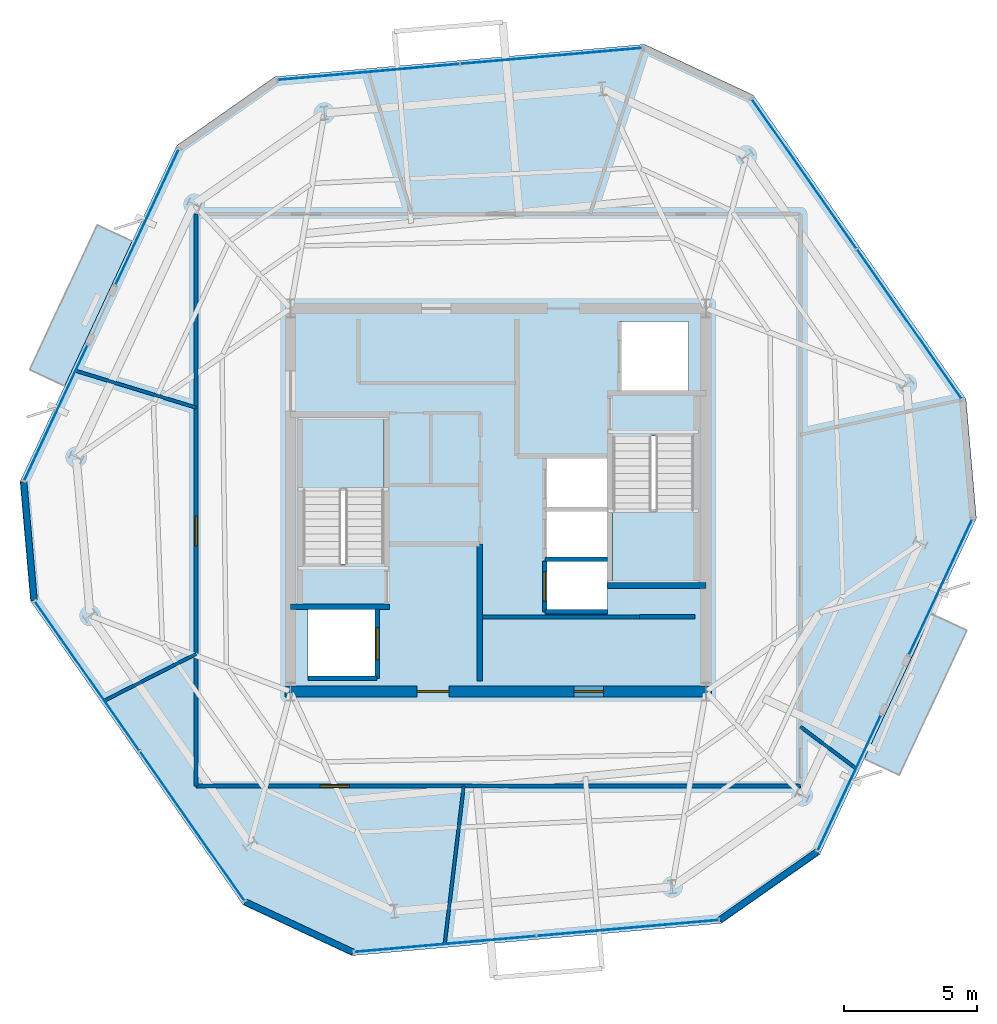
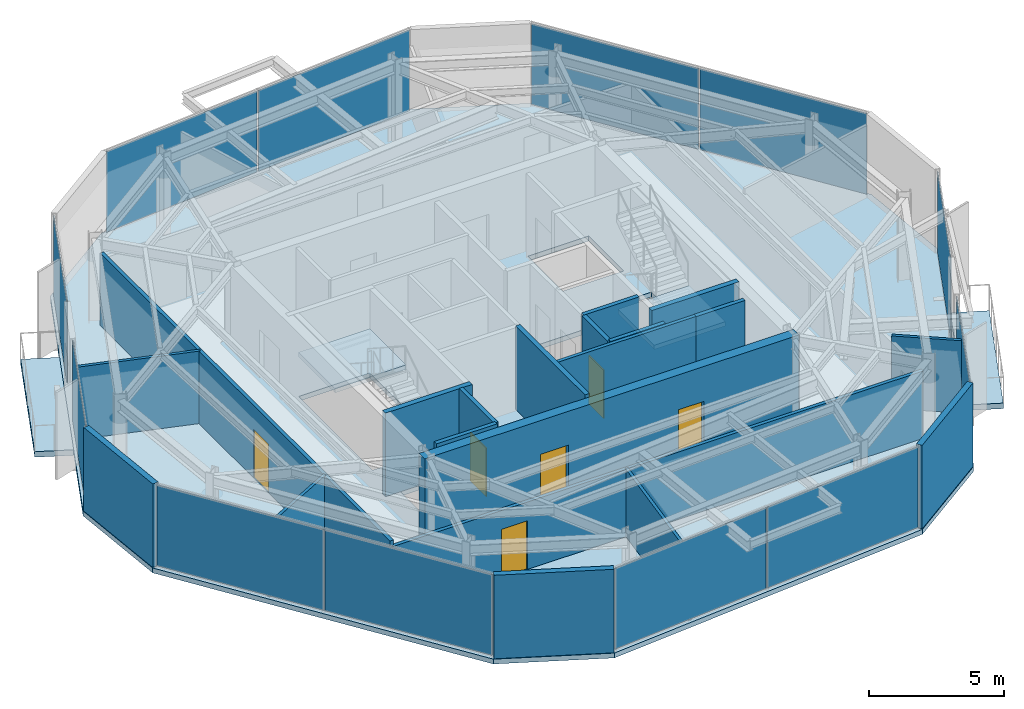
# One storey, part 5 of 11: 20 walls, 12 plates, 6 doors, 5 slabs, 6 openings, 10 elements without a shape of their own.
"""IFC4 building model written with IfcOpenShell, lengths in metres."""

import ifcopenshell
import ifcopenshell.guid

model = None  # the IFC model being written
_history = None  # IfcOwnerHistory: only IFC2X3 demands one
_inside = {}  # id of a spatial element -> (the spatial element, [elements in it])
_under = {}  # id of a project, library or spatial element -> (it, [spatial elements below it])
_declared = {}  # id of a project -> (the project, [libraries it declares])
_typed = {}  # id of a type object -> (the type object, [elements of that type])
_made_of = {}  # id of a material, layer set ... -> (it, [elements and type objects made of it])


def new_model(schema):
    """Start an empty IFC model of exactly this schema.

    Asked for "IFC4X3", IfcOpenShell would pick the latest addendum, in which some entities
    have other attributes; the version numbers below select the first issue.
    IFC2X3 requires an IfcOwnerHistory on every rooted entity: one is made here for all.
    """
    global model, _history
    if schema == "IFC4X3":
        model = ifcopenshell.file(schema_version=(4, 3, 0, 0))
    else:
        model = ifcopenshell.file(schema=schema)
    _inside.clear()
    _under.clear()
    _declared.clear()
    _typed.clear()
    _made_of.clear()
    _history = None
    if model.schema == "IFC2X3":
        org = make("IfcOrganization", Name="unknown")
        user = make(
            "IfcPersonAndOrganization",
            ThePerson=make("IfcPerson", FamilyName="unknown"),
            TheOrganization=org,
        )
        app = make(
            "IfcApplication",
            ApplicationDeveloper=org,
            Version="unknown",
            ApplicationFullName="unknown",
            ApplicationIdentifier="unknown",
        )
        _history = make(
            "IfcOwnerHistory",
            OwningUser=user,
            OwningApplication=app,
            ChangeAction="ADDED",
            CreationDate=0,
        )
    return model


def make(cls, **values):
    """One entity of the class cls with the attributes given. An attribute that is None is left unset."""
    return model.create_entity(
        cls, **{name: value for name, value in values.items() if value is not None}
    )


def rooted(cls, **values):
    """An entity with a GlobalId (a new one), such as an element, a storey or a relation."""
    return make(cls, GlobalId=ifcopenshell.guid.new(), OwnerHistory=_history, **values)


def si_unit(unit_type, name, prefix=None):
    """IfcSIUnit, for example si_unit("LENGTHUNIT", "METRE", prefix="MILLI")."""
    return make("IfcSIUnit", UnitType=unit_type, Prefix=prefix, Name=name)


def assignment(units):
    """IfcUnitAssignment: the units of a project."""
    return None if units is None else make("IfcUnitAssignment", Units=units)


def point(xyz):
    """IfcCartesianPoint."""
    return None if xyz is None else make("IfcCartesianPoint", Coordinates=xyz)


def direction(xyz):
    """IfcDirection."""
    return None if xyz is None else make("IfcDirection", DirectionRatios=xyz)


def frame(location, z_axis=None, x_axis=None):
    """IfcAxis2Placement3D, a coordinate frame: its origin and axes. An axis left out is left unset."""
    return make(
        "IfcAxis2Placement3D",
        Location=point(location),
        Axis=direction(z_axis),
        RefDirection=direction(x_axis),
    )


def frame_2d(location, x_axis=None):
    """IfcAxis2Placement2D, a coordinate frame in the plane: its origin and x axis."""
    return make(
        "IfcAxis2Placement2D", Location=point(location), RefDirection=direction(x_axis)
    )


def origin():
    """The frame at (0, 0, 0) with its axes left unset."""
    return frame((0.0, 0.0, 0.0))


def origin_2d():
    """The frame at (0, 0) in the plane with its x axis left unset."""
    return frame_2d((0.0, 0.0))


def place(relative_to, where):
    """IfcLocalPlacement: puts the frame where relative to a parent placement (None: the world)."""
    return make(
        "IfcLocalPlacement", PlacementRelTo=relative_to, RelativePlacement=where
    )


def context(
    kind, dimensions, precision=None, world=None, true_north=None, identifier=None
):
    """IfcGeometricRepresentationContext, for example the 3D "Model" context."""
    return make(
        "IfcGeometricRepresentationContext",
        ContextIdentifier=identifier,
        ContextType=kind,
        CoordinateSpaceDimension=dimensions,
        Precision=precision,
        WorldCoordinateSystem=world,
        TrueNorth=true_north,
    )


def subcontext(parent, identifier, kind, view, scale=None):
    """IfcGeometricRepresentationSubContext, for example "Body" below "Model"."""
    return make(
        "IfcGeometricRepresentationSubContext",
        ContextIdentifier=identifier,
        ContextType=kind,
        ParentContext=parent,
        TargetScale=scale,
        TargetView=view,
    )


def project(units=None, contexts=None):
    """IfcProject with its units and contexts."""
    return rooted(
        "IfcProject",
        Name="project",
        RepresentationContexts=contexts,
        UnitsInContext=assignment(units),
    )


def spatial(cls, under=None, at=None, **own):
    """A site, building, storey or space (cls), placed at a placement, below another one or the project."""
    s = rooted(cls, ObjectPlacement=at, **own)
    if under is not None:
        _under.setdefault(under.id(), (under, []))[1].append(s)
    return s


def polyline(points):
    """IfcPolyline through the points."""
    return make("IfcPolyline", Points=[point(p) for p in points])


def profile(cls, at=None, kind="AREA", **sizes):
    """A parametric profile (cls). Its sizes go by their IFC names, for example OverallWidth=200.0."""
    return make(cls, ProfileType=kind, Position=at, **sizes)


def rectangle(**sizes):
    """IfcRectangleProfileDef."""
    return profile("IfcRectangleProfileDef", **sizes)


def outline(outer, holes=None, kind="AREA"):
    """IfcArbitraryClosedProfileDef: a profile drawn as a closed curve; with holes, ...WithVoids."""
    if holes is None:
        return make("IfcArbitraryClosedProfileDef", ProfileType=kind, OuterCurve=outer)
    return make(
        "IfcArbitraryProfileDefWithVoids",
        ProfileType=kind,
        OuterCurve=outer,
        InnerCurves=holes,
    )


def extrude(swept, where, along, depth):
    """IfcExtrudedAreaSolid: the profile swept, set in the frame where, extruded along a direction by depth."""
    return make(
        "IfcExtrudedAreaSolid",
        SweptArea=swept,
        Position=where,
        ExtrudedDirection=direction(along),
        Depth=depth,
    )


def shape(context_of_items, identifier, shape_type, items):
    """IfcShapeRepresentation: the items that make up one representation, for example the "Body"."""
    return make(
        "IfcShapeRepresentation",
        ContextOfItems=context_of_items,
        RepresentationIdentifier=identifier,
        RepresentationType=shape_type,
        Items=items,
    )


def material(Name=None, Category=None):
    """IfcMaterial."""
    return make("IfcMaterial", Name=Name, Category=Category)


def layer(
    of_material, thickness, ventilated=None, Name=None, Category=None, Priority=None
):
    """IfcMaterialLayer: one layer of a wall or slab, of a material (None: an air gap)."""
    return make(
        "IfcMaterialLayer",
        Material=of_material,
        LayerThickness=thickness,
        IsVentilated=ventilated,
        Name=Name,
        Category=Category,
        Priority=Priority,
    )


def layer_set(layers, Name=None):
    """IfcMaterialLayerSet."""
    return make("IfcMaterialLayerSet", MaterialLayers=layers, LayerSetName=Name)


def made_of(thing, what):
    """Note that an element or type object is made of a material, layer set ...; save() writes the relation."""
    if what is not None:
        _made_of.setdefault(what.id(), (what, []))[1].append(thing)
    return thing


def type_object(cls, material=None, **own):
    """A type object (cls), such as IfcWallType, which elements share."""
    return made_of(rooted(cls, **own), material)


def element(
    cls,
    number,
    at=None,
    inside=None,
    cuts=None,
    type_object=None,
    material=None,
    context=None,
    identifier="Body",
    shape_type=None,
    held_by="IfcProductDefinitionShape",
    body=None,
    shapes=None,
    **own,
):
    """One element of the class cls, such as IfcWall. Its Tag is "e" and its number.

    at: its placement. inside: the storey or other place that contains it. cuts: it is an
    opening in that element (IfcRelVoidsElement). A single representation is given by context,
    identifier, shape_type and body (its items); several are given by shapes. held_by: the class
    of the entity that holds the representations. save() writes the other relations.
    """
    e = rooted(cls, Tag="e%d" % number, ObjectPlacement=at, **own)
    if body is not None:
        shapes = [shape(context, identifier, shape_type, body)]
    if shapes is not None:
        e.Representation = make(held_by, Representations=shapes)
    if inside is not None:
        _inside.setdefault(inside.id(), (inside, []))[1].append(e)
    if cuts is not None:
        rooted(
            "IfcRelVoidsElement", RelatingBuildingElement=cuts, RelatedOpeningElement=e
        )
    if type_object is not None:
        _typed.setdefault(type_object.id(), (type_object, []))[1].append(e)
    return made_of(e, material)


def fill(opening, filler):
    """IfcRelFillsElement: the door or window that sits in an opening."""
    return rooted(
        "IfcRelFillsElement",
        RelatingOpeningElement=opening,
        RelatedBuildingElement=filler,
    )


def aggregate(whole, parts):
    """IfcRelAggregates: a whole, such as a stair, and the parts it consists of."""
    return rooted("IfcRelAggregates", RelatingObject=whole, RelatedObjects=parts)


def save(model, path):
    """Write the relations noted so far, then the file.

    IfcRelAggregates (storeys below a building ...), IfcRelContainedInSpatialStructure (elements
    in a storey), IfcRelDefinesByType, IfcRelAssociatesMaterial and IfcRelDeclares: one each for
    every whole, place, type object, material and project.
    """
    for whole, parts in _under.values():
        aggregate(whole, parts)
    for where, things in _inside.values():
        rooted(
            "IfcRelContainedInSpatialStructure",
            RelatedElements=things,
            RelatingStructure=where,
        )
    for kind, things in _typed.values():
        rooted("IfcRelDefinesByType", RelatedObjects=things, RelatingType=kind)
    for what, things in _made_of.values():
        rooted("IfcRelAssociatesMaterial", RelatedObjects=things, RelatingMaterial=what)
    for by, libraries in _declared.values():
        rooted("IfcRelDeclares", RelatingContext=by, RelatedDefinitions=libraries)
    model.write(path)


model = new_model("IFC4")

# Units and contexts
model_context = context("Model", 3, precision=1e-05, world=origin(), true_north=direction((0.0, 1.0)))
body_context = subcontext(model_context, "Body", "Model", "MODEL_VIEW")
ifc_project = project(units=[si_unit("LENGTHUNIT", "METRE"), si_unit("AREAUNIT", "SQUARE_METRE"), si_unit("VOLUMEUNIT", "CUBIC_METRE"), si_unit("PLANEANGLEUNIT", "RADIAN"), si_unit("MASSUNIT", "GRAM", prefix="KILO")], contexts=[model_context])

# Site, building, storey
site_placement = place(None, origin())
site = spatial("IfcSite", under=ifc_project, at=site_placement, CompositionType="ELEMENT")
building_placement = place(site_placement, origin())
building = spatial("IfcBuilding", under=site, at=building_placement, Name="Kranzbogen Civic Tower", CompositionType="ELEMENT")
storey_placement = place(building_placement, frame((0.0, 0.0, 286.199951171875)))
storey = spatial("IfcBuildingStorey", under=building, at=storey_placement, Name="L69", CompositionType="ELEMENT", Elevation=286.199951171875)

# Slab
ifc_material_1 = material(Name="Concrete C40/50", Category="concrete")
ifc_layer_1 = layer(ifc_material_1, 0.219970703125, Name="Concrete C40/50")
ifc_layer_set_1 = layer_set([ifc_layer_1], Name="Concrete C40/50")
slab_type_1 = type_object("IfcSlabType", Name="Composite Upper Tower Floor Slab 220 mm", PredefinedType="FLOOR", material=ifc_layer_set_1)
slab_1_placement = place(storey_placement, frame((0.0, 0.0, -0.219970703125)))
element("IfcSlab", 1, at=slab_1_placement, inside=storey, type_object=slab_type_1, Name="L69 tower floor slab", PredefinedType="FLOOR", context=body_context, shape_type="SweptSolid", body=[
    extrude(outline(polyline([(30.5, 42.1201171875), (16.610107421875, 40.904052734375), (12.924072265625, 38.322998046875), (7.031982421875, 25.68701171875), (7.424072265625, 21.2041015625), (15.4208984375, 9.781982421875), (19.5, 7.8798828125), (33.389892578125, 9.095947265625), (37.075927734375, 11.677001953125), (42.968017578125, 24.31298828125), (42.575927734375, 28.7958984375), (34.5791015625, 40.218017578125), (30.5, 42.1201171875)]), holes=[polyline([(17.85009765625, 20.89990234375), (20.449951171875, 20.89990234375), (20.449951171875, 18.300048828125), (17.85009765625, 18.300048828125), (17.85009765625, 20.89990234375)]), polyline([(29.10009765625, 22.699951171875), (29.10009765625, 20.800048828125), (26.75, 20.800048828125), (26.75, 22.699951171875), (29.10009765625, 22.699951171875)]), polyline([(29.10009765625, 24.64990234375), (29.10009765625, 22.77490234375), (26.75, 22.77490234375), (26.75, 24.64990234375), (26.75, 24.675048828125), (26.75, 26.550048828125), (29.10009765625, 26.550048828125), (29.10009765625, 24.675048828125), (29.10009765625, 24.64990234375)]), polyline([(29.300048828125, 27.340087890625), (30.75, 27.340087890625), (30.75, 27.39990234375), (32.35009765625, 27.39990234375), (32.35009765625, 21.89990234375), (29.300048828125, 21.89990234375), (29.300048828125, 27.340087890625)]), polyline([(20.699951171875, 22.659912109375), (19.25, 22.659912109375), (19.25, 22.60009765625), (17.64990234375, 22.60009765625), (17.64990234375, 28.10009765625), (20.699951171875, 28.10009765625), (20.699951171875, 22.659912109375)]), polyline([(32.14990234375, 31.699951171875), (32.14990234375, 29.10009765625), (29.550048828125, 29.10009765625), (29.550048828125, 31.699951171875), (32.14990234375, 31.699951171875)])]), origin(), (0.0, 0.0, 1.0), 0.219970703125),
])

# Curtain wall, plates
ifc_material_2 = material(Name="Pale Anodised Aluminium", Category="aluminium")
ifc_layer_2 = layer(ifc_material_2, 0.219970703125, Name="Pale Anodised Aluminium")
ifc_layer_set_2 = layer_set([ifc_layer_2], Name="Pale Anodised Aluminium")
curtain_wall_type = type_object("IfcCurtainWallType", Name="Zone 4 Stick Curtain Wall System CW-05", PredefinedType="USERDEFINED", material=ifc_layer_set_2)
curtain_wall_1_placement = place(storey_placement, origin())
curtain_wall_1 = element("IfcCurtainWall", 2, at=curtain_wall_1_placement, inside=storey, type_object=curtain_wall_type, Name="L69 curtain wall CW-L69-F1", ObjectType="STICK CURTAIN WALL", PredefinedType="USERDEFINED")
ifc_material_3 = material(Name="Low-E Triple Glazing Glass", Category="glass")
ifc_layer_3 = layer(ifc_material_3, 0.028076171875, Name="Low-E Triple Glazing Glass")
ifc_layer_set_3 = layer_set([ifc_layer_3], Name="Low-E Triple Glazing Glass")
plate_type = type_object("IfcPlateType", Name="Insulated Low-E Glazing Panel 28 mm", PredefinedType="CURTAIN_PANEL", material=ifc_layer_set_3)
plate_1_placement = place(storey_placement, frame((26.99658203125, 41.683837890625, 0.06005859375), z_axis=(0.0, 0.0, 1.0), x_axis=(-0.99618696717, -0.087244062492, 0.0)))
plate_1 = element("IfcPlate", 3, at=plate_1_placement, type_object=plate_type, Name="CW-05 panel 1.1", PredefinedType="CURTAIN_PANEL", context=body_context, shape_type="SweptSolid", body=[
    extrude(rectangle(XDim=6.827392578125, YDim=0.028076171875, at=origin_2d()), origin(), (0.0, 0.0, 1.0), 3.659912109375),
])
plate_2_placement = place(storey_placement, frame((20.135498046875, 41.0830078125, 0.06005859375), z_axis=(0.0, 0.0, 1.0), x_axis=(-0.99618696717, -0.087244062492, 0.0)))
plate_2 = element("IfcPlate", 4, at=plate_2_placement, type_object=plate_type, Name="CW-05 panel 2.1", PredefinedType="CURTAIN_PANEL", context=body_context, shape_type="SweptSolid", body=[
    extrude(rectangle(XDim=6.827392578125, YDim=0.028076171875, at=origin_2d()), origin(), (0.0, 0.0, 1.0), 3.659912109375),
])
aggregate(curtain_wall_1, [plate_1, plate_2])

# Curtain wall, plate
curtain_wall_2_placement = place(storey_placement, origin())
curtain_wall_2 = element("IfcCurtainWall", 5, at=curtain_wall_2_placement, inside=storey, type_object=curtain_wall_type, Name="L69 curtain wall CW-L69-F2-S1", ObjectType="STICK CURTAIN WALL", PredefinedType="USERDEFINED")
plate_3_placement = place(storey_placement, frame((11.81005859375, 35.62841796875, 0.06005859375), z_axis=(0.0, 0.0, 1.0), x_axis=(-0.422626886136, -0.906303765365, 0.0)))
plate_3 = element("IfcPlate", 6, at=plate_3_placement, type_object=plate_type, Name="CW-05 panel 1.1", PredefinedType="CURTAIN_PANEL", context=body_context, shape_type="SweptSolid", body=[
    extrude(rectangle(XDim=5.5966796875, YDim=0.028076171875, at=origin_2d()), origin(), (0.0, 0.0, 1.0), 3.659912109375),
])
aggregate(curtain_wall_2, [plate_3])

curtain_wall_3_placement = place(storey_placement, origin())
curtain_wall_3 = element("IfcCurtainWall", 7, at=curtain_wall_3_placement, inside=storey, type_object=curtain_wall_type, Name="L69 curtain wall CW-L69-F2-S2", ObjectType="STICK CURTAIN WALL", PredefinedType="USERDEFINED")
plate_4_placement = place(storey_placement, frame((8.3798828125, 28.2724609375, 0.06005859375), z_axis=(0.0, 0.0, 1.0), x_axis=(-0.422626886136, -0.906303765365, 0.0)))
plate_4 = element("IfcPlate", 8, at=plate_4_placement, type_object=plate_type, Name="CW-05 panel 1.1", PredefinedType="CURTAIN_PANEL", context=body_context, shape_type="SweptSolid", body=[
    extrude(rectangle(XDim=5.5966796875, YDim=0.028076171875, at=origin_2d()), origin(), (0.0, 0.0, 1.0), 3.659912109375),
])
aggregate(curtain_wall_3, [plate_4])

# Curtain wall, plates
curtain_wall_4_placement = place(storey_placement, origin())
curtain_wall_4 = element("IfcCurtainWall", 9, at=curtain_wall_4_placement, inside=storey, type_object=curtain_wall_type, Name="L69 curtain wall CW-L69-F3", ObjectType="STICK CURTAIN WALL", PredefinedType="USERDEFINED")
plate_5_placement = place(storey_placement, frame((9.553466796875, 18.38818359375, 0.06005859375), z_axis=(0.0, 0.0, 1.0), x_axis=(0.573520552837, -0.819191171506, 0.0)))
plate_5 = element("IfcPlate", 10, at=plate_5_placement, type_object=plate_type, Name="CW-05 panel 1.1", PredefinedType="CURTAIN_PANEL", context=body_context, shape_type="SweptSolid", body=[
    extrude(rectangle(XDim=6.827880859375, YDim=0.028076171875, at=origin_2d()), origin(), (0.0, 0.0, 1.0), 3.659912109375),
])
plate_6_placement = place(storey_placement, frame((13.503662109375, 12.745849609375, 0.06005859375), z_axis=(0.0, 0.0, 1.0), x_axis=(0.573520552837, -0.819191171506, 0.0)))
plate_6 = element("IfcPlate", 11, at=plate_6_placement, type_object=plate_type, Name="CW-05 panel 2.1", PredefinedType="CURTAIN_PANEL", context=body_context, shape_type="SweptSolid", body=[
    extrude(rectangle(XDim=6.827880859375, YDim=0.028076171875, at=origin_2d()), origin(), (0.0, 0.0, 1.0), 3.659912109375),
])
aggregate(curtain_wall_4, [plate_5, plate_6])

curtain_wall_5_placement = place(storey_placement, origin())
curtain_wall_5 = element("IfcCurtainWall", 12, at=curtain_wall_5_placement, inside=storey, type_object=curtain_wall_type, Name="L69 curtain wall CW-L69-F4", ObjectType="STICK CURTAIN WALL", PredefinedType="USERDEFINED")
plate_7_placement = place(storey_placement, frame((23.00341796875, 8.316162109375, 0.06005859375), z_axis=(0.0, 0.0, 1.0), x_axis=(0.99618696717, 0.087244062492, 0.0)))
plate_7 = element("IfcPlate", 13, at=plate_7_placement, type_object=plate_type, Name="CW-05 panel 1.1", PredefinedType="CURTAIN_PANEL", context=body_context, shape_type="SweptSolid", body=[
    extrude(rectangle(XDim=6.827392578125, YDim=0.028076171875, at=origin_2d()), origin(), (0.0, 0.0, 1.0), 3.659912109375),
])
plate_8_placement = place(storey_placement, frame((29.864501953125, 8.9169921875, 0.06005859375), z_axis=(0.0, 0.0, 1.0), x_axis=(0.99618696717, 0.087244062492, 0.0)))
plate_8 = element("IfcPlate", 14, at=plate_8_placement, type_object=plate_type, Name="CW-05 panel 2.1", PredefinedType="CURTAIN_PANEL", context=body_context, shape_type="SweptSolid", body=[
    extrude(rectangle(XDim=6.827392578125, YDim=0.028076171875, at=origin_2d()), origin(), (0.0, 0.0, 1.0), 3.659912109375),
])
aggregate(curtain_wall_5, [plate_7, plate_8])

# Curtain wall, plate
curtain_wall_6_placement = place(storey_placement, origin())
curtain_wall_6 = element("IfcCurtainWall", 15, at=curtain_wall_6_placement, inside=storey, type_object=curtain_wall_type, Name="L69 curtain wall CW-L69-F5-S1", ObjectType="STICK CURTAIN WALL", PredefinedType="USERDEFINED")
plate_9_placement = place(storey_placement, frame((38.18994140625, 14.37158203125, 0.06005859375), z_axis=(0.0, 0.0, 1.0), x_axis=(0.422626886136, 0.906303765365, 0.0)))
plate_9 = element("IfcPlate", 16, at=plate_9_placement, type_object=plate_type, Name="CW-05 panel 1.1", PredefinedType="CURTAIN_PANEL", context=body_context, shape_type="SweptSolid", body=[
    extrude(rectangle(XDim=5.5966796875, YDim=0.028076171875, at=origin_2d()), origin(), (0.0, 0.0, 1.0), 3.659912109375),
])
aggregate(curtain_wall_6, [plate_9])

curtain_wall_7_placement = place(storey_placement, origin())
curtain_wall_7 = element("IfcCurtainWall", 17, at=curtain_wall_7_placement, inside=storey, type_object=curtain_wall_type, Name="L69 curtain wall CW-L69-F5-S2", ObjectType="STICK CURTAIN WALL", PredefinedType="USERDEFINED")
plate_10_placement = place(storey_placement, frame((41.6201171875, 21.7275390625, 0.06005859375), z_axis=(0.0, 0.0, 1.0), x_axis=(0.422626886136, 0.906303765365, 0.0)))
plate_10 = element("IfcPlate", 18, at=plate_10_placement, type_object=plate_type, Name="CW-05 panel 1.1", PredefinedType="CURTAIN_PANEL", context=body_context, shape_type="SweptSolid", body=[
    extrude(rectangle(XDim=5.5966796875, YDim=0.028076171875, at=origin_2d()), origin(), (0.0, 0.0, 1.0), 3.659912109375),
])
aggregate(curtain_wall_7, [plate_10])

# Curtain wall, plates
curtain_wall_8_placement = place(storey_placement, origin())
curtain_wall_8 = element("IfcCurtainWall", 19, at=curtain_wall_8_placement, inside=storey, type_object=curtain_wall_type, Name="L69 curtain wall CW-L69-F6", ObjectType="STICK CURTAIN WALL", PredefinedType="USERDEFINED")
plate_11_placement = place(storey_placement, frame((40.446533203125, 31.61181640625, 0.06005859375), z_axis=(0.0, 0.0, 1.0), x_axis=(-0.573520552837, 0.819191171506, 0.0)))
plate_11 = element("IfcPlate", 20, at=plate_11_placement, type_object=plate_type, Name="CW-05 panel 1.1", PredefinedType="CURTAIN_PANEL", context=body_context, shape_type="SweptSolid", body=[
    extrude(rectangle(XDim=6.827880859375, YDim=0.028076171875, at=origin_2d()), origin(), (0.0, 0.0, 1.0), 3.659912109375),
])
plate_12_placement = place(storey_placement, frame((36.496337890625, 37.254150390625, 0.06005859375), z_axis=(0.0, 0.0, 1.0), x_axis=(-0.573520552837, 0.819191171506, 0.0)))
plate_12 = element("IfcPlate", 21, at=plate_12_placement, type_object=plate_type, Name="CW-05 panel 2.1", PredefinedType="CURTAIN_PANEL", context=body_context, shape_type="SweptSolid", body=[
    extrude(rectangle(XDim=6.827880859375, YDim=0.028076171875, at=origin_2d()), origin(), (0.0, 0.0, 1.0), 3.659912109375),
])
aggregate(curtain_wall_8, [plate_11, plate_12])

# Stair, slab
ifc_material_4 = material(Name="Precast concrete C40/50", Category="concrete")
stair_type_1 = type_object("IfcStairType", Name="Tower Core Pressurized Dogleg Stair 1450", PredefinedType="HALF_TURN_STAIR", material=ifc_material_4)
stair_1_placement = place(storey_placement, origin())
stair_1 = element("IfcStair", 22, at=stair_1_placement, inside=storey, type_object=stair_type_1, Name="L69 Tower Core Pressurized Stair 1", PredefinedType="HALF_TURN_STAIR")
ifc_layer_4 = layer(ifc_material_4, 0.199951171875, Name="Precast concrete C40/50")
ifc_layer_set_4 = layer_set([ifc_layer_4], Name="Precast concrete C40/50")
slab_type_2 = type_object("IfcSlabType", Name="Precast Concrete Stair Landing Slab 200 mm", PredefinedType="LANDING", material=ifc_layer_set_4)
slab_2_placement = place(storey_placement, frame((0.0, 0.0, 1.800048828125)))
slab_2 = element("IfcSlab", 23, at=slab_2_placement, type_object=slab_type_2, Name="ST-T1 landing 1", PredefinedType="LANDING", context=body_context, shape_type="SweptSolid", body=[
    extrude(outline(polyline([(20.699951171875, 25.39990234375), (20.699951171875, 28.10009765625), (17.64990234375, 28.10009765625), (17.64990234375, 25.39990234375), (20.699951171875, 25.39990234375)])), origin(), (0.0, 0.0, 1.0), 0.199951171875),
])
aggregate(stair_1, [slab_2])

stair_type_2 = type_object("IfcStairType", Name="Tower Core Secondary Dogleg Stair 1450", PredefinedType="HALF_TURN_STAIR", material=ifc_material_4)
stair_2_placement = place(storey_placement, origin())
stair_2 = element("IfcStair", 24, at=stair_2_placement, inside=storey, type_object=stair_type_2, Name="L69 Tower Core Pressurized Stair 2", PredefinedType="HALF_TURN_STAIR")
slab_3_placement = place(storey_placement, frame((0.0, 0.0, 1.800048828125)))
slab_3 = element("IfcSlab", 25, at=slab_3_placement, type_object=slab_type_2, Name="ST-T2 landing 1", PredefinedType="LANDING", context=body_context, shape_type="SweptSolid", body=[
    extrude(outline(polyline([(29.300048828125, 24.60009765625), (29.300048828125, 21.89990234375), (32.35009765625, 21.89990234375), (32.35009765625, 24.60009765625), (29.300048828125, 24.60009765625)])), origin(), (0.0, 0.0, 1.0), 0.199951171875),
])
aggregate(stair_2, [slab_3])

# Slabs
ifc_layer_5 = layer(ifc_material_1, 0.25, Name="Concrete C40/50")
ifc_layer_set_5 = layer_set([ifc_layer_5], Name="Concrete C40/50")
slab_type_3 = type_object("IfcSlabType", Name="Tree Balcony Cantilevered Slab 250 mm", PredefinedType="FLOOR", material=ifc_layer_set_5)
slab_4_placement = place(storey_placement, frame((0.0, 0.0, -0.25)))
element("IfcSlab", 26, at=slab_4_placement, inside=storey, type_object=slab_type_3, Name="L69 cantilevered tree balcony L69-TB1", PredefinedType="FLOOR", context=body_context, shape_type="SweptSolid", body=[
    extrude(outline(polyline([(38.75390625, 15.27587890625), (41.2900390625, 20.714111328125), (42.60400390625, 20.10107421875), (40.068115234375, 14.6630859375), (38.75390625, 15.27587890625)])), origin(), (0.0, 0.0, 1.0), 0.25),
])
slab_5_placement = place(storey_placement, frame((0.0, 0.0, -0.25)))
element("IfcSlab", 27, at=slab_5_placement, inside=storey, type_object=slab_type_3, Name="L69 cantilevered tree balcony L69-TB2", PredefinedType="FLOOR", context=body_context, shape_type="SweptSolid", body=[
    extrude(outline(polyline([(11.24609375, 34.72412109375), (8.7099609375, 29.285888671875), (7.39599609375, 29.89892578125), (9.931884765625, 35.3369140625), (11.24609375, 34.72412109375)])), origin(), (0.0, 0.0, 1.0), 0.25),
])

# Wall
ifc_material_5 = material(Name="Double-Stud Acoustic Gypsum Partition")
ifc_layer_6 = layer(ifc_material_5, 0.14990234375, Name="Double-Stud Acoustic Gypsum Partition")
ifc_layer_set_6 = layer_set([ifc_layer_6], Name="Double-Stud Acoustic Gypsum Partition")
wall_type_1 = type_object("IfcWallType", Name="Acoustic Corridor and Clinical Partition 150 mm", PredefinedType="PARTITIONING", material=ifc_layer_set_6)
wall_1_placement = place(storey_placement, frame((24.39990234375, 20.610107421875, 0.0), z_axis=(0.0, 0.0, 1.0), x_axis=(1.0, 0.0, 0.0)))
element("IfcWall", 28, at=wall_1_placement, inside=storey, type_object=wall_type_1, Name="L69 records zone North wall", PredefinedType="PARTITIONING", context=body_context, shape_type="SweptSolid", body=[
    extrude(rectangle(XDim=5.900146484375, YDim=0.14990234375, at=frame_2d((2.9501953125, 0.0))), origin(), (0.0, 0.0, 1.0), 3.780029296875),
])

# Wall, opening, door
wall_2_placement = place(storey_placement, frame((36.35009765625, 14.25, 0.0), z_axis=(0.0, 0.0, 1.0), x_axis=(-1.0, 0.0, 0.0)))
wall_2 = element("IfcWall", 29, at=wall_2_placement, inside=storey, type_object=wall_type_1, Name="L69 corridor partition 03", PredefinedType="PARTITIONING", context=body_context, shape_type="SweptSolid", body=[
    extrude(rectangle(XDim=22.7001953125, YDim=0.14990234375, at=frame_2d((11.35009765625, 0.0))), origin(), (0.0, 0.0, 1.0), 3.050048828125),
])
opening_1_placement = place(wall_2_placement, frame((16.944091796875, 0.0, 0.0)))
opening_1 = element("IfcOpeningElement", 30, at=opening_1_placement, cuts=wall_2, Name="Opening D-COR60", PredefinedType="OPENING", context=body_context, shape_type="SweptSolid", body=[
    extrude(rectangle(XDim=1.10009765625, YDim=2.199951171875, at=frame_2d((0.550048828125, 1.10009765625))), frame((0.0, 0.0849609375, 0.0), z_axis=(0.0, -1.0, 0.0), x_axis=(1.0, 0.0, 0.0)), (0.0, 0.0, 1.0), 0.169921875),
])
ifc_material_6 = material(Name="Oak Timber and Fire Core", Category="wood")
door_type_1 = type_object("IfcDoorType", Name="Corridor Acoustic Fire Door 1100x2200", OperationType="NOTDEFINED", PredefinedType="DOOR", material=ifc_material_6)
door_1_placement = place(opening_1_placement, origin())
door_1 = element("IfcDoor", 31, at=door_1_placement, inside=storey, type_object=door_type_1, Name="L69 Municipal Exhibition Showroom door", OperationType="SINGLE_SWING_LEFT", OverallHeight=2.199951171875, OverallWidth=1.10009765625, PredefinedType="DOOR", context=body_context, shape_type="SweptSolid", body=[
    extrude(rectangle(XDim=1.10009765625, YDim=2.199951171875, at=frame_2d((0.550048828125, 1.10009765625))), frame((0.0, 0.02490234375, 0.0), z_axis=(0.0, -1.0, 0.0), x_axis=(1.0, 0.0, 0.0)), (0.0, 0.0, 1.0), 0.050048828125),
])
fill(opening_1, door_1)

wall_3_placement = place(storey_placement, frame((13.64990234375, 14.25, 0.0), z_axis=(0.0, 0.0, 1.0), x_axis=(0.0, 1.0, 0.0)))
wall_3 = element("IfcWall", 32, at=wall_3_placement, inside=storey, type_object=wall_type_1, Name="L69 corridor partition 04", PredefinedType="PARTITIONING", context=body_context, shape_type="SweptSolid", body=[
    extrude(rectangle(XDim=21.5, YDim=0.14990234375, at=frame_2d((10.75, 0.0))), origin(), (0.0, 0.0, 1.0), 3.280029296875),
])
opening_2_placement = place(wall_3_placement, frame((9.034912109375, 0.0, 0.0)))
opening_2 = element("IfcOpeningElement", 33, at=opening_2_placement, cuts=wall_3, Name="Opening D-COR60", PredefinedType="OPENING", context=body_context, shape_type="SweptSolid", body=[
    extrude(rectangle(XDim=1.10009765625, YDim=2.199951171875, at=frame_2d((0.550048828125, 1.10009765625))), frame((0.0, 0.0849609375, 0.0), z_axis=(0.0, -1.0, 0.0), x_axis=(1.0, 0.0, 0.0)), (0.0, 0.0, 1.0), 0.169921875),
])
door_2_placement = place(opening_2_placement, origin())
door_2 = element("IfcDoor", 34, at=door_2_placement, inside=storey, type_object=door_type_1, Name="L69 Citizen Services Kiosk door", OperationType="SINGLE_SWING_RIGHT", OverallHeight=2.199951171875, OverallWidth=1.10009765625, PredefinedType="DOOR", context=body_context, shape_type="SweptSolid", body=[
    extrude(rectangle(XDim=1.10009765625, YDim=2.199951171875, at=frame_2d((0.550048828125, 1.10009765625))), frame((0.0, 0.02490234375, 0.0), z_axis=(0.0, -1.0, 0.0), x_axis=(1.0, 0.0, 0.0)), (0.0, 0.0, 1.0), 0.050048828125),
])
fill(opening_2, door_2)

# Walls
ifc_material_7 = material(Name="Insulated Metal-Stud Gypsum Partition")
ifc_layer_7 = layer(ifc_material_7, 0.125, Name="Insulated Metal-Stud Gypsum Partition")
ifc_layer_set_7 = layer_set([ifc_layer_7], Name="Insulated Metal-Stud Gypsum Partition")
wall_type_2 = type_object("IfcWallType", Name="Acoustic Inter-Room Partition 125 mm", PredefinedType="PARTITIONING", material=ifc_layer_set_7)
wall_4_placement = place(storey_placement, frame((13.64990234375, 28.470947265625, 0.0), z_axis=(0.0, 0.0, 1.0), x_axis=(-0.95627729349, 0.292461515342, 0.0)))
element("IfcWall", 35, at=wall_4_placement, inside=storey, type_object=wall_type_2, Name="L69 radial room partition 02", PredefinedType="PARTITIONING", context=body_context, shape_type="SweptSolid", body=[
    extrude(rectangle(XDim=4.722412109375, YDim=0.125, at=frame_2d((2.361328125, 0.0))), origin(), (0.0, 0.0, 1.0), 3.280029296875),
])
wall_5_placement = place(storey_placement, frame((13.64990234375, 19.216064453125, 0.0), z_axis=(0.0, 0.0, 1.0), x_axis=(-0.891017734347, -0.453968497892, 0.0)))
element("IfcWall", 36, at=wall_5_placement, inside=storey, type_object=wall_type_2, Name="L69 radial room partition 03", PredefinedType="PARTITIONING", context=body_context, shape_type="SweptSolid", body=[
    extrude(rectangle(XDim=3.852783203125, YDim=0.125, at=frame_2d((1.92626953125, 0.0))), origin(), (0.0, 0.0, 1.0), 3.280029296875),
])
wall_6_placement = place(storey_placement, frame((23.7041015625, 14.25, 0.0), z_axis=(0.0, 0.0, 1.0), x_axis=(-0.119779797653, -0.992800483518, 0.0)))
element("IfcWall", 37, at=wall_6_placement, inside=storey, type_object=wall_type_2, Name="L69 radial room partition 04", PredefinedType="PARTITIONING", context=body_context, shape_type="SweptSolid", body=[
    extrude(rectangle(XDim=5.9619140625, YDim=0.125, at=frame_2d((2.98095703125, 0.0))), origin(), (0.0, 0.0, 1.0), 3.050048828125),
])
wall_7_placement = place(storey_placement, frame((36.35009765625, 16.486083984375, 0.0), z_axis=(0.0, 0.0, 1.0), x_axis=(0.799785896755, -0.600285364932, 0.0)))
element("IfcWall", 38, at=wall_7_placement, inside=storey, type_object=wall_type_2, Name="L69 radial room partition 05", PredefinedType="PARTITIONING", context=body_context, shape_type="SweptSolid", body=[
    extrude(rectangle(XDim=2.6005859375, YDim=0.125, at=frame_2d((1.30029296875, 0.0))), origin(), (0.0, 0.0, 1.0), 3.280029296875),
])

# Wall, openings, doors
ifc_material_8 = material(Name="Concrete C45/55", Category="concrete")
ifc_layer_8 = layer(ifc_material_8, 0.419921875, Name="Concrete C45/55")
ifc_layer_set_8 = layer_set([ifc_layer_8], Name="Concrete C45/55")
wall_type_3 = type_object("IfcWallType", Name="Central Core Shear Wall 420 mm", PredefinedType="SHEAR", material=ifc_layer_set_8)
wall_8_placement = place(storey_placement, frame((16.989990234375, 17.800048828125, 0.0), z_axis=(0.0, 0.0, 1.0), x_axis=(1.0, 0.0, 0.0)))
wall_8 = element("IfcWall", 39, at=wall_8_placement, inside=storey, type_object=wall_type_3, Name="L69 central core South shear wall", PredefinedType="SHEAR", context=body_context, shape_type="SweptSolid", body=[
    extrude(rectangle(XDim=16.02001953125, YDim=0.419921875, at=frame_2d((8.010009765625, 0.0))), origin(), (0.0, 0.0, 1.0), 3.780029296875),
])
opening_3_placement = place(wall_8_placement, frame((4.9599609375, 0.0, 0.0)))
opening_3 = element("IfcOpeningElement", 40, at=opening_3_placement, cuts=wall_8, Name="Opening D-EX120", PredefinedType="OPENING", context=body_context, shape_type="SweptSolid", body=[
    extrude(rectangle(XDim=1.199951171875, YDim=2.25, at=frame_2d((0.60009765625, 1.125))), frame((0.0, 0.219970703125, 0.0), z_axis=(0.0, -1.0, 0.0), x_axis=(1.0, 0.0, 0.0)), (0.0, 0.0, 1.0), 0.43994140625),
])
opening_4_placement = place(wall_8_placement, frame((10.860107421875, 0.0, 0.0)))
opening_4 = element("IfcOpeningElement", 41, at=opening_4_placement, cuts=wall_8, Name="Opening D-COR60", PredefinedType="OPENING", context=body_context, shape_type="SweptSolid", body=[
    extrude(rectangle(XDim=1.10009765625, YDim=2.199951171875, at=frame_2d((0.550048828125, 1.10009765625))), frame((0.0, 0.219970703125, 0.0), z_axis=(0.0, -1.0, 0.0), x_axis=(1.0, 0.0, 0.0)), (0.0, 0.0, 1.0), 0.43994140625),
])
door_3_placement = place(opening_4_placement, origin())
door_3 = element("IfcDoor", 42, at=door_3_placement, inside=storey, type_object=door_type_1, Name="L69 REC1 archive room door", OperationType="SINGLE_SWING_RIGHT", OverallHeight=2.199951171875, OverallWidth=1.10009765625, PredefinedType="DOOR", context=body_context, shape_type="SweptSolid", body=[
    extrude(rectangle(XDim=1.10009765625, YDim=2.199951171875, at=frame_2d((0.550048828125, 1.10009765625))), frame((0.0, 0.02490234375, 0.0), z_axis=(0.0, -1.0, 0.0), x_axis=(1.0, 0.0, 0.0)), (0.0, 0.0, 1.0), 0.050048828125),
])
fill(opening_4, door_3)
ifc_material_9 = material(Name="Steel S355", Category="steel")
door_type_2 = type_object("IfcDoorType", Name="Exit Passageway Fire Door 1200x2250", OperationType="NOTDEFINED", PredefinedType="DOOR", material=ifc_material_9)
door_4_placement = place(opening_3_placement, origin())
door_4 = element("IfcDoor", 43, at=door_4_placement, inside=storey, type_object=door_type_2, Name="L69 West firefighting lobby corridor door", OperationType="SINGLE_SWING_LEFT", OverallHeight=2.25, OverallWidth=1.199951171875, PredefinedType="DOOR", context=body_context, shape_type="SweptSolid", body=[
    extrude(rectangle(XDim=1.199951171875, YDim=2.25, at=frame_2d((0.60009765625, 1.125))), frame((0.0, 0.02490234375, 0.0), z_axis=(0.0, -1.0, 0.0), x_axis=(1.0, 0.0, 0.0)), (0.0, 0.0, 1.0), 0.050048828125),
])
fill(opening_3, door_4)

# Walls
ifc_layer_9 = layer(ifc_material_8, 0.219970703125, Name="Concrete C45/55")
ifc_layer_set_9 = layer_set([ifc_layer_9], Name="Concrete C45/55")
wall_type_4 = type_object("IfcWallType", Name="Core Internal Stair Structural Wall 220 mm", PredefinedType="SOLIDWALL", material=ifc_layer_set_9)
for number, where, z_axis, x_axis, name in (
    (44, (17.199951171875, 20.989990234375, 0.0), (0.0, 0.0, 1.0), (1.0, 0.0, 0.0), "L69 ST-T1 South structural stair wall"),
    (45, (29.080078125, 21.7900390625, 0.0), (0.0, 0.0, 1.0), (1.0, 0.0, 0.0), "L69 ST-T2 South structural stair wall"),
):
    element("IfcWall", number, at=place(storey_placement, frame(where, z_axis=z_axis, x_axis=x_axis)), inside=storey, type_object=wall_type_4, Name=name, PredefinedType="SOLIDWALL", context=body_context, shape_type="SweptSolid", body=[
        extrude(rectangle(XDim=3.719970703125, YDim=0.219970703125, at=frame_2d((1.85986328125, 0.0))), origin(), (0.0, 0.0, 1.0), 3.780029296875),
    ])
ifc_material_10 = material(Name="Gypsum Fireboard and Concrete Block", Category="concrete")
ifc_layer_10 = layer(ifc_material_10, 0.199951171875, Name="Gypsum Fireboard and Concrete Block")
ifc_layer_set_10 = layer_set([ifc_layer_10], Name="Gypsum Fireboard and Concrete Block")
wall_type_5 = type_object("IfcWallType", Name="Fire-Rated Exit Passageway and Stair Wall 200 mm", PredefinedType="PARTITIONING", material=ifc_layer_set_10)
wall_9_placement = place(storey_placement, frame((24.300048828125, 18.199951171875, 0.0), z_axis=(0.0, 0.0, 1.0), x_axis=(0.0, 1.0, 0.0)))
element("IfcWall", 46, at=wall_9_placement, inside=storey, type_object=wall_type_5, Name="L69 West firefighting lobby East wall", PredefinedType="PARTITIONING", context=body_context, shape_type="SweptSolid", body=[
    extrude(rectangle(XDim=5.150146484375, YDim=0.199951171875, at=frame_2d((2.5751953125, 0.0))), origin(), (0.0, 0.0, 1.0), 3.780029296875),
])
ifc_material_11 = material(Name="Gypsum Fireboard Shaftliner")
ifc_layer_11 = layer(ifc_material_11, 0.175048828125, Name="Gypsum Fireboard Shaftliner")
ifc_layer_set_11 = layer_set([ifc_layer_11], Name="Gypsum Fireboard Shaftliner")
wall_type_6 = type_object("IfcWallType", Name="Fire-Rated Lift and Service Shaft Wall 175 mm", PredefinedType="PARTITIONING", material=ifc_layer_set_11)
wall_10_placement = place(storey_placement, frame((30.300048828125, 20.610107421875, 0.0), z_axis=(0.0, 0.0, 1.0), x_axis=(1.0, 0.0, 0.0)))
element("IfcWall", 47, at=wall_10_placement, inside=storey, type_object=wall_type_6, Name="L69 merged archive North wall", PredefinedType="PARTITIONING", context=body_context, shape_type="SweptSolid", body=[
    extrude(rectangle(XDim=2.099853515625, YDim=0.175048828125, at=frame_2d((1.0498046875, 0.0))), origin(), (0.0, 0.0, 1.0), 3.780029296875),
])

# Wall, opening, door
wall_11_placement = place(storey_placement, frame((26.75, 20.800048828125, 0.0), z_axis=(0.0, 0.0, 1.0), x_axis=(0.0, 1.0, 0.0)))
wall_11 = element("IfcWall", 48, at=wall_11_placement, inside=storey, type_object=wall_type_6, Name="L69 lift HP-01 landing wall", PredefinedType="PARTITIONING", context=body_context, shape_type="SweptSolid", body=[
    extrude(rectangle(XDim=1.89990234375, YDim=0.175048828125, at=frame_2d((0.949951171875, 0.0))), origin(), (0.0, 0.0, 1.0), 3.780029296875),
])
opening_5_placement = place(wall_11_placement, frame((0.39990234375, 0.0, 0.0)))
opening_5 = element("IfcOpeningElement", 49, at=opening_5_placement, cuts=wall_11, Name="Opening LD-HP-01", PredefinedType="OPENING", context=body_context, shape_type="SweptSolid", body=[
    extrude(rectangle(XDim=1.10009765625, YDim=2.199951171875, at=frame_2d((0.550048828125, 1.10009765625))), frame((0.0, 0.09765625, 0.0), z_axis=(0.0, -1.0, 0.0), x_axis=(1.0, 0.0, 0.0)), (0.0, 0.0, 1.0), 0.195068359375),
])
door_type_3 = type_object("IfcDoorType", Name="Passenger Lift Sliding Landing Door 1100x2200", OperationType="DOUBLE_DOOR_SLIDING", PredefinedType="DOOR", material=ifc_material_2)
door_5_placement = place(opening_5_placement, origin())
door_5 = element("IfcDoor", 50, at=door_5_placement, inside=storey, type_object=door_type_3, Name="L69 lift HP-01 sliding landing door", OperationType="DOUBLE_DOOR_SLIDING", OverallHeight=2.199951171875, OverallWidth=1.10009765625, PredefinedType="DOOR", context=body_context, shape_type="SweptSolid", body=[
    extrude(rectangle(XDim=1.10009765625, YDim=2.199951171875, at=frame_2d((0.550048828125, 1.10009765625))), frame((0.0, 0.02490234375, 0.0), z_axis=(0.0, -1.0, 0.0), x_axis=(1.0, 0.0, 0.0)), (0.0, 0.0, 1.0), 0.050048828125),
])
fill(opening_5, door_5)

# Walls
for number, where, z_axis, x_axis, name in (
    (51, (26.75, 20.800048828125, 0.0), (0.0, 0.0, 1.0), (1.0, 0.0, 0.0), "L69 lift HP-01 side wall"),
    (52, (26.75, 22.77490234375, 0.0), (0.0, 0.0, 1.0), (1.0, 0.0, 0.0), "L69 lift HP-02 side wall"),
):
    element("IfcWall", number, at=place(storey_placement, frame(where, z_axis=z_axis, x_axis=x_axis)), inside=storey, type_object=wall_type_6, Name=name, PredefinedType="PARTITIONING", context=body_context, shape_type="SweptSolid", body=[
        extrude(rectangle(XDim=2.35009765625, YDim=0.175048828125, at=frame_2d((1.175048828125, 0.0))), origin(), (0.0, 0.0, 1.0), 3.780029296875),
    ])

# Wall, opening, door
wall_12_placement = place(storey_placement, frame((20.449951171875, 18.300048828125, 0.0), z_axis=(0.0, 0.0, 1.0), x_axis=(0.0, 1.0, 0.0)))
wall_12 = element("IfcWall", 53, at=wall_12_placement, inside=storey, type_object=wall_type_6, Name="L69 lift FF-01 landing wall", PredefinedType="PARTITIONING", context=body_context, shape_type="SweptSolid", body=[
    extrude(rectangle(XDim=2.599853515625, YDim=0.175048828125, at=frame_2d((1.2998046875, 0.0))), origin(), (0.0, 0.0, 1.0), 3.780029296875),
])
opening_6_placement = place(wall_12_placement, frame((0.699951171875, 0.0, 0.0)))
opening_6 = element("IfcOpeningElement", 54, at=opening_6_placement, cuts=wall_12, Name="Opening LD-FF-01", PredefinedType="OPENING", context=body_context, shape_type="SweptSolid", body=[
    extrude(rectangle(XDim=1.199951171875, YDim=2.199951171875, at=frame_2d((0.60009765625, 1.10009765625))), frame((0.0, 0.09765625, 0.0), z_axis=(0.0, -1.0, 0.0), x_axis=(1.0, 0.0, 0.0)), (0.0, 0.0, 1.0), 0.195068359375),
])
door_type_4 = type_object("IfcDoorType", Name="Firefighting and Stretcher Lift Sliding Landing Door 1200x2200", OperationType="DOUBLE_DOOR_SLIDING", PredefinedType="DOOR", material=ifc_material_2)
door_6_placement = place(opening_6_placement, origin())
door_6 = element("IfcDoor", 55, at=door_6_placement, inside=storey, type_object=door_type_4, Name="L69 lift FF-01 sliding landing door", OperationType="DOUBLE_DOOR_SLIDING", OverallHeight=2.199951171875, OverallWidth=1.199951171875, PredefinedType="DOOR", context=body_context, shape_type="SweptSolid", body=[
    extrude(rectangle(XDim=1.199951171875, YDim=2.199951171875, at=frame_2d((0.60009765625, 1.10009765625))), frame((0.0, 0.02490234375, 0.0), z_axis=(0.0, -1.0, 0.0), x_axis=(1.0, 0.0, 0.0)), (0.0, 0.0, 1.0), 0.050048828125),
])
fill(opening_6, door_6)

# Walls
wall_13_placement = place(storey_placement, frame((17.85009765625, 18.300048828125, 0.0), z_axis=(0.0, 0.0, 1.0), x_axis=(1.0, 0.0, 0.0)))
element("IfcWall", 56, at=wall_13_placement, inside=storey, type_object=wall_type_6, Name="L69 lift FF-01 side wall", PredefinedType="PARTITIONING", context=body_context, shape_type="SweptSolid", body=[
    extrude(rectangle(XDim=2.599853515625, YDim=0.175048828125, at=frame_2d((1.2998046875, 0.0))), origin(), (0.0, 0.0, 1.0), 3.780029296875),
])
ifc_layer_12 = layer(ifc_material_2, 0.239990234375, Name="Pale Anodised Aluminium")
ifc_layer_set_12 = layer_set([ifc_layer_12], Name="Pale Anodised Aluminium")
wall_type_7 = type_object("IfcWallType", Name="Insulated Aluminium Facade Portal Wall 240 mm", PredefinedType="STANDARD", material=ifc_layer_set_12)
for number, where, z_axis, x_axis, name in (
    (57, (7.172119140625, 25.681884765625, 0.0), (0.0, 0.0, 1.0), (0.087103868575, -0.996199235133, 0.0), "L69 chamfered corner facade spandrel 2"),
    (58, (15.49609375, 9.89990234375, 0.0), (0.0, 0.0, 1.0), (0.906318587574, -0.422595099141, 0.0), "L69 chamfered corner facade spandrel 3"),
):
    element("IfcWall", number, at=place(storey_placement, frame(where, z_axis=z_axis, x_axis=x_axis)), inside=storey, type_object=wall_type_7, Name=name, PredefinedType="STANDARD", context=body_context, shape_type="SweptSolid", body=[
        extrude(rectangle(XDim=4.465087890625, YDim=0.239990234375, at=frame_2d((2.232421875, 0.0))), origin(), (0.0, 0.0, 1.0), 3.780029296875),
    ])
wall_14_placement = place(storey_placement, frame((33.324951171875, 9.219970703125, 0.0), z_axis=(0.0, 0.0, 1.0), x_axis=(0.819111157222, 0.573634824705, 0.0)))
element("IfcWall", 59, at=wall_14_placement, inside=storey, type_object=wall_type_7, Name="L69 chamfered corner facade spandrel 4", PredefinedType="STANDARD", context=body_context, shape_type="SweptSolid", body=[
    extrude(rectangle(XDim=4.464599609375, YDim=0.239990234375, at=frame_2d((2.232421875, 0.0))), origin(), (0.0, 0.0, 1.0), 3.780029296875),
])

save(model, "model.ifc")
